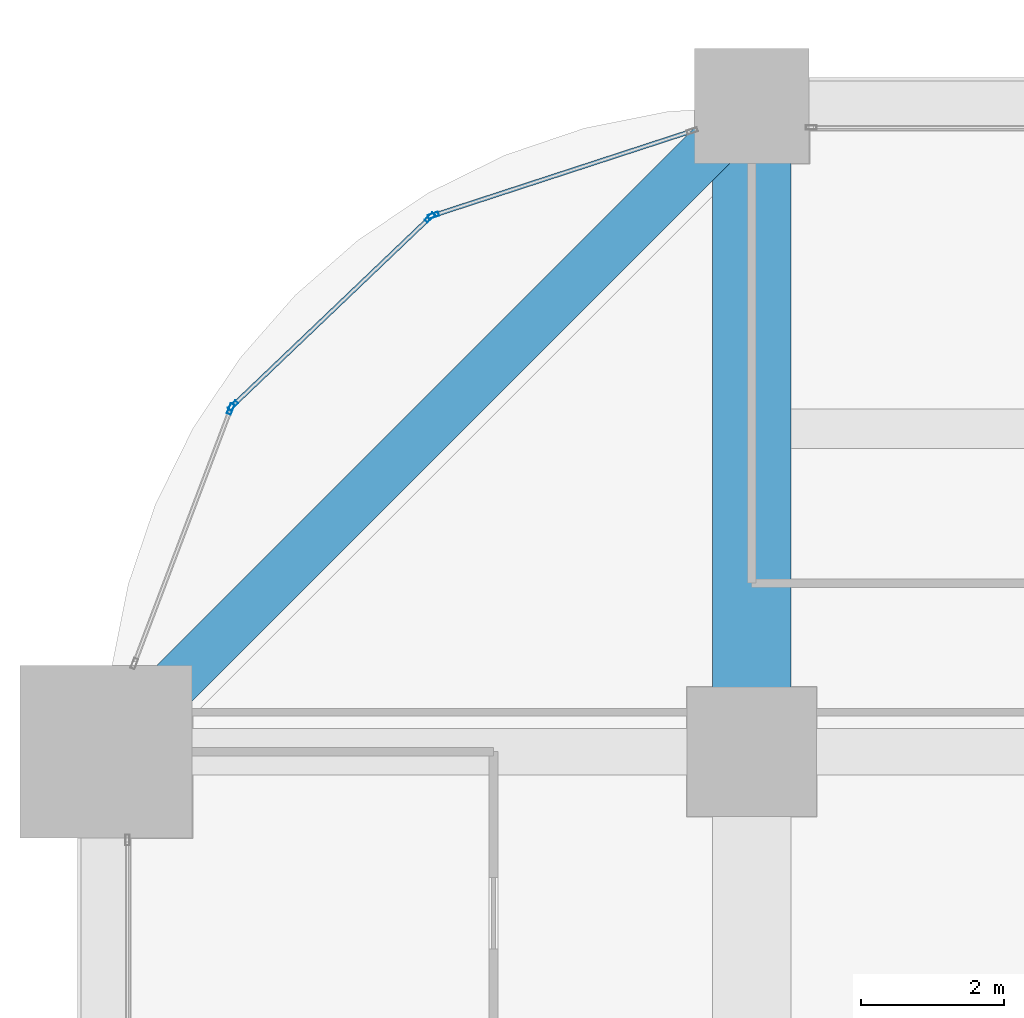
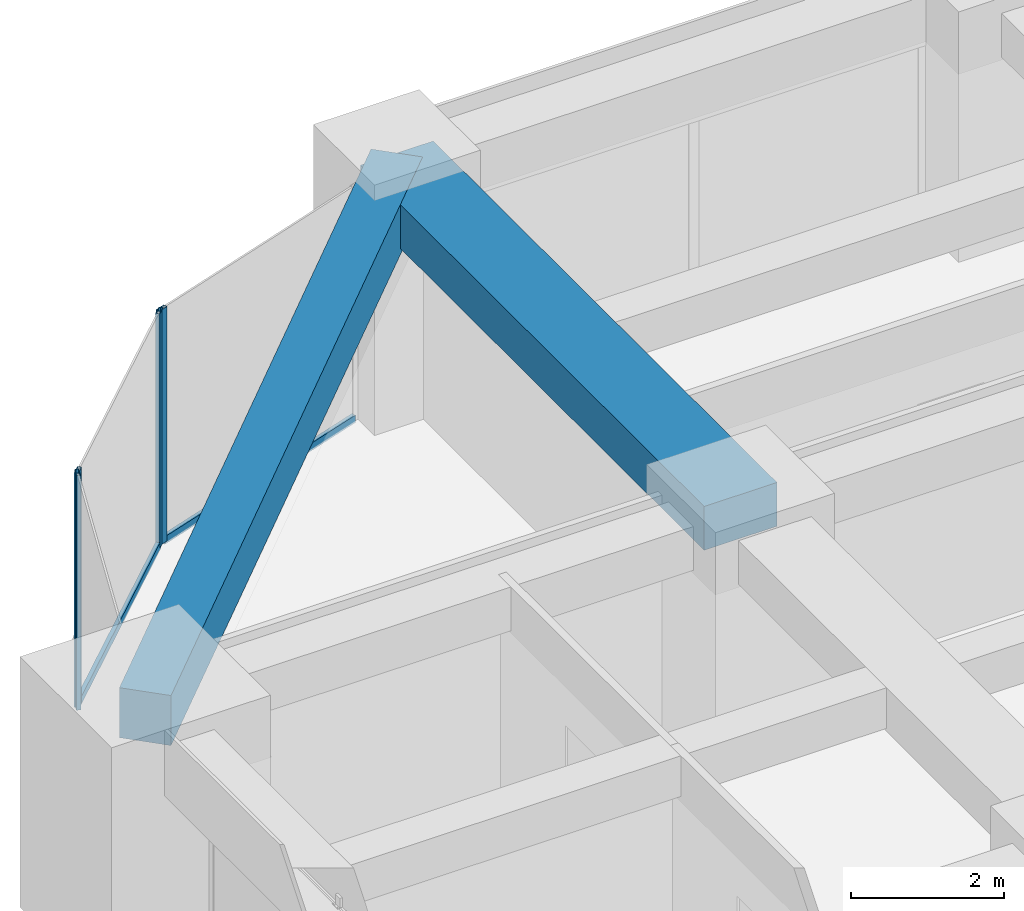
# One storey, part 26 of 41: 6 members, 2 beams, 3 elements without a shape of their own.
"""IFC4 building model written with IfcOpenShell, lengths in metres."""

from ifc_helpers import new_model, si_unit, direction, frame, origin, origin_2d, place, context, subcontext, project, spatial, rectangle, hollow_rectangle, extrude, material, material_profile, profile_set, type_object, element, aggregate, save


model = new_model("IFC4")

# Units and contexts
model_context = context("Model", 3, precision=1e-05, world=origin(), true_north=direction((0.0, 1.0)))
body_context = subcontext(model_context, "Body", "Model", "MODEL_VIEW")
ifc_project = project(units=[si_unit("LENGTHUNIT", "METRE"), si_unit("AREAUNIT", "SQUARE_METRE"), si_unit("VOLUMEUNIT", "CUBIC_METRE"), si_unit("PLANEANGLEUNIT", "RADIAN"), si_unit("MASSUNIT", "GRAM", prefix="KILO")], contexts=[model_context])

# Site, building, storey
site_placement = place(None, origin())
site = spatial("IfcSite", under=ifc_project, at=site_placement, CompositionType="ELEMENT")
building_placement = place(site_placement, origin())
building = spatial("IfcBuilding", under=site, at=building_placement, Name="Zorevar Civic Tower", CompositionType="ELEMENT")
storey_placement = place(building_placement, frame((0.0, 0.0, 137.0)))
storey = spatial("IfcBuildingStorey", under=building, at=storey_placement, Name="L33", CompositionType="ELEMENT", Elevation=137.0)

# Beam
ifc_material_1 = material(Name="Concrete C50/60", Category="concrete")
ifc_material_profile_1 = material_profile(ifc_material_1, rectangle(XDim=1.10009765625, YDim=0.699951171875, at=origin_2d()), Name="RC 1100x700")
ifc_profile_set_1 = profile_set([ifc_material_profile_1], Name="Concrete C50/60")
beam_type_1 = type_object("IfcBeamType", Name="Beam RC 1100x700", PredefinedType="BEAM", material=ifc_profile_set_1)
beam_1_placement = place(storey_placement, frame((9.0, 36.0, 3.39990234375), z_axis=(0.0, 1.0, 0.0), x_axis=(-1.0, 0.0, 0.0)))
element("IfcBeam", 1, at=beam_1_placement, inside=storey, type_object=beam_type_1, Name="Girder L34", PredefinedType="BEAM", context=body_context, shape_type="SweptSolid", body=[
    extrude(rectangle(XDim=1.10009765625, YDim=0.699951171875, at=origin_2d()), origin(), (0.0, 0.0, 1.0), 9.0),
])

# Curtain wall, member
ifc_material_2 = material(Name="Dark grey solar-control glass in black aluminium frame", Category="aluminium")
curtain_wall_type = type_object("IfcCurtainWallType", Name="Curtain wall CW3 mid zone", PredefinedType="NOTDEFINED", material=ifc_material_2)
curtain_wall_1_placement = place(storey_placement, origin())
curtain_wall_1 = element("IfcCurtainWall", 2, at=curtain_wall_1_placement, inside=storey, type_object=curtain_wall_type, Name="CW3 L33", PredefinedType="NOTDEFINED")
ifc_material_3 = material(Name="Aluminium, black anodised", Category="aluminium")
ifc_material_profile_2 = material_profile(ifc_material_3, hollow_rectangle(XDim=0.06005859375, YDim=0.14990234375, WallThickness=0.00390625, at=origin_2d()), Name="AL 150x60x4")
ifc_profile_set_2 = profile_set([ifc_material_profile_2], Name="Aluminium, black anodised")
member_type_1 = type_object("IfcMemberType", Name="CW3 mullion AL 150x60x4", PredefinedType="MULLION", material=ifc_profile_set_2)
member_1_placement = place(storey_placement, frame((4.56396484375, 43.476318359375, 0.0), z_axis=(0.0, 0.0, 1.0), x_axis=(0.310263169163, -0.950650706548, 0.0)))
member_1 = element("IfcMember", 3, at=member_1_placement, type_object=member_type_1, Name="CW3 mullion 2", PredefinedType="MULLION", context=body_context, shape_type="SweptSolid", body=[
    extrude(hollow_rectangle(XDim=0.06005859375, YDim=0.14990234375, WallThickness=0.00390625, at=origin_2d()), origin(), (0.0, 0.0, 1.0), 3.75),
])

# Curtain wall, members
curtain_wall_2_placement = place(storey_placement, origin())
curtain_wall_2 = element("IfcCurtainWall", 4, at=curtain_wall_2_placement, inside=storey, type_object=curtain_wall_type, Name="CW3 L33", PredefinedType="NOTDEFINED")
member_2_placement = place(storey_placement, frame((4.513916015625, 43.4462890625, 0.0), z_axis=(0.0, 0.0, 1.0), x_axis=(0.690545329292, -0.723289117983, 0.0)))
member_2 = element("IfcMember", 5, at=member_2_placement, type_object=member_type_1, Name="CW3 mullion 1", PredefinedType="MULLION", context=body_context, shape_type="SweptSolid", body=[
    extrude(hollow_rectangle(XDim=0.06005859375, YDim=0.14990234375, WallThickness=0.00390625, at=origin_2d()), origin(), (0.0, 0.0, 1.0), 3.75),
])
member_3_placement = place(storey_placement, frame((1.76904296875, 40.825927734375, 0.0), z_axis=(0.0, 0.0, 1.0), x_axis=(0.690545329292, -0.723289117983, 0.0)))
member_3 = element("IfcMember", 6, at=member_3_placement, type_object=member_type_1, Name="CW3 mullion 2", PredefinedType="MULLION", context=body_context, shape_type="SweptSolid", body=[
    extrude(hollow_rectangle(XDim=0.06005859375, YDim=0.14990234375, WallThickness=0.00390625, at=origin_2d()), origin(), (0.0, 0.0, 1.0), 3.75),
])

# Curtain wall, member
curtain_wall_3_placement = place(storey_placement, origin())
curtain_wall_3 = element("IfcCurtainWall", 7, at=curtain_wall_3_placement, inside=storey, type_object=curtain_wall_type, Name="CW3 L33", PredefinedType="NOTDEFINED")
member_4_placement = place(storey_placement, frame((1.73681640625, 40.777099609375, 0.0), z_axis=(0.0, 0.0, 1.0), x_axis=(0.935276561184, -0.353917722218, 0.0)))
member_4 = element("IfcMember", 8, at=member_4_placement, type_object=member_type_1, Name="CW3 mullion 1", PredefinedType="MULLION", context=body_context, shape_type="SweptSolid", body=[
    extrude(hollow_rectangle(XDim=0.06005859375, YDim=0.14990234375, WallThickness=0.00390625, at=origin_2d()), origin(), (0.0, 0.0, 1.0), 3.75),
])
aggregate(curtain_wall_3, [member_4])

# Member
ifc_material_4 = material(Name="Aluminium, black anodised", Category="aluminium")
ifc_material_profile_3 = material_profile(ifc_material_4, hollow_rectangle(XDim=0.06005859375, YDim=0.1201171875, WallThickness=0.0029296875, at=origin_2d()), Name="AL 120x60x3")
ifc_profile_set_3 = profile_set([ifc_material_profile_3], Name="Aluminium, black anodised")
member_type_2 = type_object("IfcMemberType", Name="CW3 transom AL 120x60x3", PredefinedType="USERDEFINED", material=ifc_profile_set_3)
member_5_placement = place(storey_placement, frame((8.14306640625, 44.64453125, 0.030029296875), z_axis=(-0.950638909659, -0.310299312669, 0.0), x_axis=(0.310299312669, -0.950638909659, 0.0)))
member_5 = element("IfcMember", 9, at=member_5_placement, type_object=member_type_2, Name="CW3 sill transom", ObjectType="TRANSOM", PredefinedType="USERDEFINED", context=body_context, shape_type="SweptSolid", body=[
    extrude(hollow_rectangle(XDim=0.06005859375, YDim=0.1201171875, WallThickness=0.0029296875, at=origin_2d()), origin(), (0.0, 0.0, 1.0), 3.73486328125),
])

aggregate(curtain_wall_1, [member_1, member_5])

member_6_placement = place(storey_placement, frame((4.4921875, 43.425537109375, 0.030029296875), z_axis=(-0.723324377588, -0.690508395884, 0.0), x_axis=(0.690508395884, -0.723324377588, 0.0)))
member_6 = element("IfcMember", 10, at=member_6_placement, type_object=member_type_2, Name="CW3 sill transom", ObjectType="TRANSOM", PredefinedType="USERDEFINED", context=body_context, shape_type="SweptSolid", body=[
    extrude(hollow_rectangle(XDim=0.06005859375, YDim=0.1201171875, WallThickness=0.0029296875, at=origin_2d()), origin(), (0.0, 0.0, 1.0), 3.734619140625),
])

aggregate(curtain_wall_2, [member_2, member_3, member_6])

# Beam
ifc_material_5 = material(Name="Concrete C50/60", Category="concrete")
ifc_material_profile_4 = material_profile(ifc_material_5, rectangle(XDim=0.699951171875, YDim=0.800048828125, at=origin_2d()), Name="RC 700x800")
ifc_profile_set_4 = profile_set([ifc_material_profile_4], Name="Concrete C50/60")
beam_type_2 = type_object("IfcBeamType", Name="Edge beam RC 700x800", PredefinedType="SPANDREL", material=ifc_profile_set_4)
beam_2_placement = place(storey_placement, frame((9.0, 45.0, 3.35009765625), z_axis=(-0.707106781187, -0.707106781187, 0.0), x_axis=(0.707106781187, -0.707106781187, 0.0)))
element("IfcBeam", 11, at=beam_2_placement, inside=storey, type_object=beam_type_2, Name="Corner edge beam L34", PredefinedType="SPANDREL", context=body_context, shape_type="SweptSolid", body=[
    extrude(rectangle(XDim=0.699951171875, YDim=0.800048828125, at=origin_2d()), origin(), (0.0, 0.0, 1.0), 12.72802734375),
])

save(model, "model.ifc")
